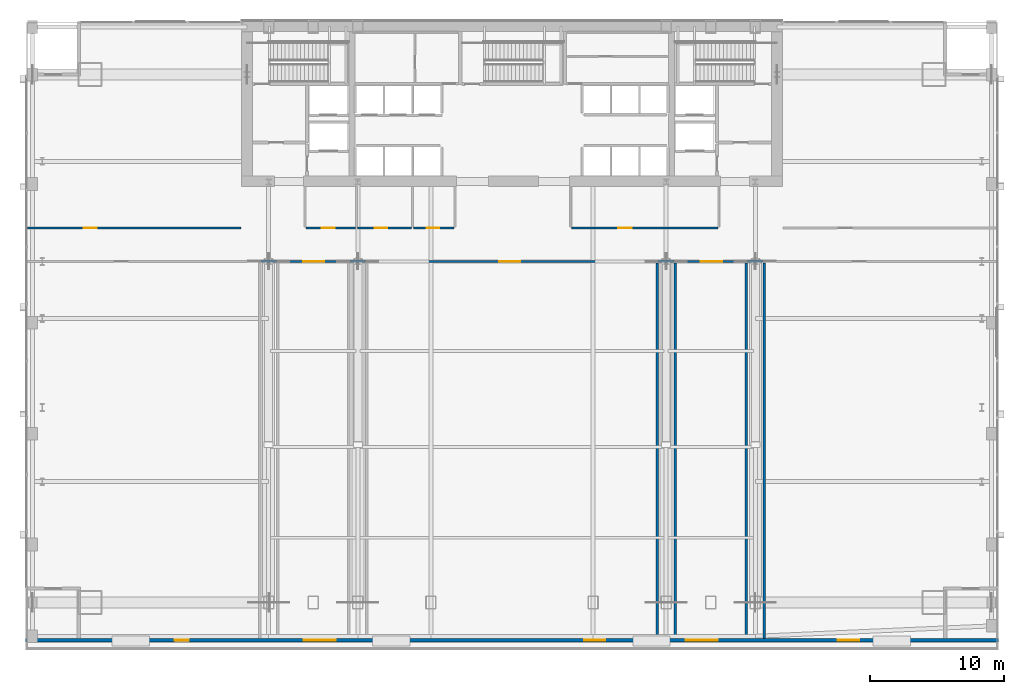
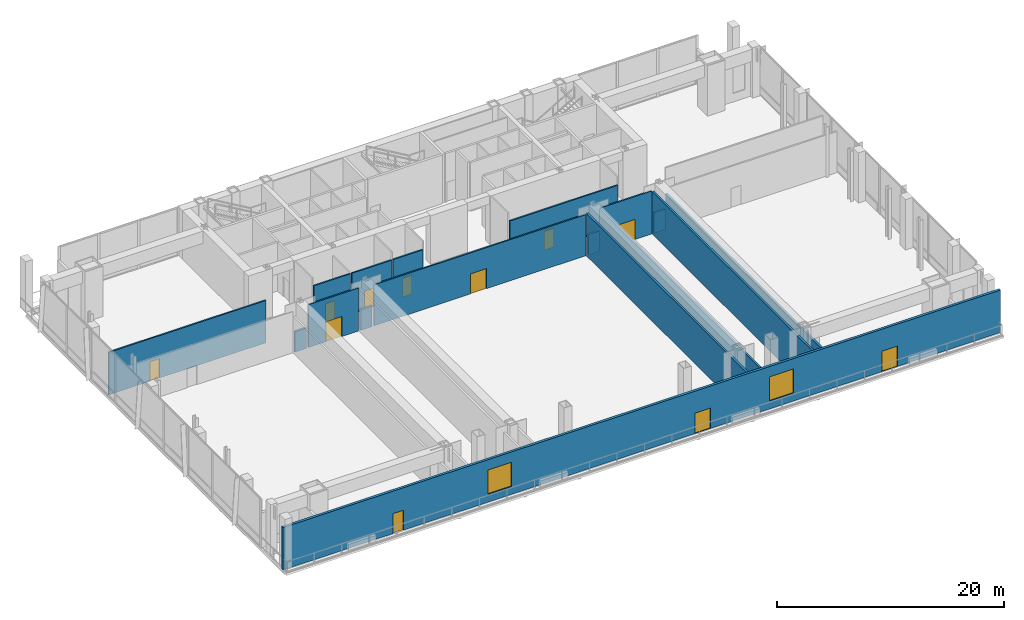
# One storey, part 20 of 26: 17 walls, 11 doors, 2 windows, 13 openings.
"""IFC4 building model written with IfcOpenShell, lengths in metres."""

from ifc_helpers import new_model, si_unit, direction, frame, frame_2d, origin, place, context, subcontext, project, spatial, rectangle, extrude, material, layer, layer_set, type_object, element, fill, save


model = new_model("IFC4")

# Units and contexts
model_context = context("Model", 3, precision=1e-05, world=origin(), true_north=direction((0.0, 1.0)))
body_context = subcontext(model_context, "Body", "Model", "MODEL_VIEW")
ifc_project = project(units=[si_unit("LENGTHUNIT", "METRE"), si_unit("AREAUNIT", "SQUARE_METRE"), si_unit("VOLUMEUNIT", "CUBIC_METRE"), si_unit("PLANEANGLEUNIT", "RADIAN"), si_unit("MASSUNIT", "GRAM", prefix="KILO")], contexts=[model_context])

# Site, building, storey
site_placement = place(None, origin())
site = spatial("IfcSite", under=ifc_project, at=site_placement, CompositionType="ELEMENT")
building_placement = place(site_placement, origin())
building = spatial("IfcBuilding", under=site, at=building_placement, Name="Khoronbel Lancet Exchange", CompositionType="ELEMENT")
storey_placement = place(building_placement, frame((0.0, 0.0, 20.39990234375)))
storey = spatial("IfcBuildingStorey", under=building, at=storey_placement, Name="L04", CompositionType="ELEMENT", Elevation=20.39990234375)

# Wall, openings, doors, windows
ifc_material_1 = material(Name="Precast concrete C40/50", Category="concrete")
ifc_layer_1 = layer(ifc_material_1, 0.25, Name="Precast concrete C40/50")
ifc_layer_set_1 = layer_set([ifc_layer_1], Name="Precast concrete C40/50")
wall_type_1 = type_object("IfcWallType", Name="WL-EXT250", PredefinedType="SOLIDWALL", material=ifc_layer_set_1)
wall_1_placement = place(storey_placement, frame((72.89990234375, 7.324951171875, 0.0), z_axis=(0.0, 0.0, 1.0), x_axis=(-1.0, 0.0, 0.0)))
wall_1 = element("IfcWall", 1, at=wall_1_placement, inside=storey, type_object=wall_type_1, Name="Level L04 cascading south garden terrace wall", PredefinedType="SOLIDWALL", context=body_context, shape_type="SweptSolid", body=[
    extrude(rectangle(XDim=72.89990234375, YDim=0.25, at=frame_2d((36.449951171875, 0.0))), origin(), (0.0, 0.0, 1.0), 4.56005859375),
])
opening_1_placement = place(wall_1_placement, frame((10.449951171875, 0.0, 0.0)))
opening_1 = element("IfcOpeningElement", 2, at=opening_1_placement, cuts=wall_1, Name="Opening TD1", PredefinedType="OPENING", context=body_context, shape_type="SweptSolid", body=[
    extrude(rectangle(XDim=1.60009765625, YDim=2.199951171875, at=frame_2d((0.800048828125, 1.10009765625))), frame((0.0, 0.135009765625, 0.0), z_axis=(0.0, -1.0, 0.0), x_axis=(1.0, 0.0, 0.0)), (0.0, 0.0, 1.0), 0.27001953125),
])
opening_2_placement = place(wall_1_placement, frame((29.449951171875, 0.0, 0.0)))
opening_2 = element("IfcOpeningElement", 3, at=opening_2_placement, cuts=wall_1, Name="Opening TD1", PredefinedType="OPENING", context=body_context, shape_type="SweptSolid", body=[
    extrude(rectangle(XDim=1.60009765625, YDim=2.199951171875, at=frame_2d((0.800048828125, 1.10009765625))), frame((0.0, 0.135009765625, 0.0), z_axis=(0.0, -1.0, 0.0), x_axis=(1.0, 0.0, 0.0)), (0.0, 0.0, 1.0), 0.27001953125),
])
opening_3_placement = place(wall_1_placement, frame((60.64990234375, 0.0, 0.0)))
opening_3 = element("IfcOpeningElement", 4, at=opening_3_placement, cuts=wall_1, Name="Opening TD2", PredefinedType="OPENING", context=body_context, shape_type="SweptSolid", body=[
    extrude(rectangle(XDim=1.050048828125, YDim=2.14990234375, at=frame_2d((0.52490234375, 1.074951171875))), frame((0.0, 0.135009765625, 0.0), z_axis=(0.0, -1.0, 0.0), x_axis=(1.0, 0.0, 0.0)), (0.0, 0.0, 1.0), 0.27001953125),
])
opening_4_placement = place(wall_1_placement, frame((21.050048828125, 0.0, 0.85009765625)))
opening_4 = element("IfcOpeningElement", 5, at=opening_4_placement, cuts=wall_1, Name="Opening W3", PredefinedType="OPENING", context=body_context, shape_type="SweptSolid", body=[
    extrude(rectangle(XDim=2.39990234375, YDim=2.60009765625, at=frame_2d((1.199951171875, 1.300048828125))), frame((0.0, 0.135009765625, 0.0), z_axis=(0.0, -1.0, 0.0), x_axis=(1.0, 0.0, 0.0)), (0.0, 0.0, 1.0), 0.27001953125),
])
opening_5_placement = place(wall_1_placement, frame((49.64990234375, 0.0, 0.85009765625)))
opening_5 = element("IfcOpeningElement", 6, at=opening_5_placement, cuts=wall_1, Name="Opening W3", PredefinedType="OPENING", context=body_context, shape_type="SweptSolid", body=[
    extrude(rectangle(XDim=2.39990234375, YDim=2.60009765625, at=frame_2d((1.199951171875, 1.300048828125))), frame((0.0, 0.135009765625, 0.0), z_axis=(0.0, -1.0, 0.0), x_axis=(1.0, 0.0, 0.0)), (0.0, 0.0, 1.0), 0.27001953125),
])
ifc_material_2 = material(Name="Glazed Bronze-Anodised Aluminium Door Assembly", Category="aluminium")
door_type_1 = type_object("IfcDoorType", Name="DR-TD1", OperationType="NOTDEFINED", PredefinedType="DOOR", material=ifc_material_2)
door_1_placement = place(opening_1_placement, origin())
door_1 = element("IfcDoor", 7, at=door_1_placement, inside=storey, type_object=door_type_1, Name="Level L04 east garden terrace door", OperationType="DOUBLE_DOOR_SINGLE_SWING", OverallHeight=2.199951171875, OverallWidth=1.60009765625, PredefinedType="DOOR", context=body_context, shape_type="SweptSolid", body=[
    extrude(rectangle(XDim=1.60009765625, YDim=2.199951171875, at=frame_2d((0.800048828125, 1.10009765625))), frame((0.0, 0.02490234375, 0.0), z_axis=(0.0, -1.0, 0.0), x_axis=(1.0, 0.0, 0.0)), (0.0, 0.0, 1.0), 0.050048828125),
])
fill(opening_1, door_1)
door_2_placement = place(opening_2_placement, origin())
door_2 = element("IfcDoor", 8, at=door_2_placement, inside=storey, type_object=door_type_1, Name="Level L04 central garden terrace door", OperationType="DOUBLE_DOOR_SINGLE_SWING", OverallHeight=2.199951171875, OverallWidth=1.60009765625, PredefinedType="DOOR", context=body_context, shape_type="SweptSolid", body=[
    extrude(rectangle(XDim=1.60009765625, YDim=2.199951171875, at=frame_2d((0.800048828125, 1.10009765625))), frame((0.0, 0.02490234375, 0.0), z_axis=(0.0, -1.0, 0.0), x_axis=(1.0, 0.0, 0.0)), (0.0, 0.0, 1.0), 0.050048828125),
])
fill(opening_2, door_2)
door_type_2 = type_object("IfcDoorType", Name="DR-TD2", OperationType="NOTDEFINED", PredefinedType="DOOR", material=ifc_material_2)
door_3_placement = place(opening_3_placement, origin())
door_3 = element("IfcDoor", 9, at=door_3_placement, inside=storey, type_object=door_type_2, Name="Level L04 west garden terrace door", OperationType="SINGLE_SWING_LEFT", OverallHeight=2.14990234375, OverallWidth=1.050048828125, PredefinedType="DOOR", context=body_context, shape_type="SweptSolid", body=[
    extrude(rectangle(XDim=1.050048828125, YDim=2.14990234375, at=frame_2d((0.52490234375, 1.074951171875))), frame((0.0, 0.02490234375, 0.0), z_axis=(0.0, -1.0, 0.0), x_axis=(1.0, 0.0, 0.0)), (0.0, 0.0, 1.0), 0.050048828125),
])
fill(opening_3, door_3)
ifc_material_3 = material(Name="Low-E Solar Control Insulating Glass", Category="glass")
window_type = type_object("IfcWindowType", Name="WIN-W3", PartitioningType="SINGLE_PANEL", PredefinedType="WINDOW", material=ifc_material_3)
window_1_placement = place(opening_4_placement, origin())
window_1 = element("IfcWindow", 10, at=window_1_placement, inside=storey, type_object=window_type, Name="WIN-L04-TERR-1", OverallHeight=2.60009765625, OverallWidth=2.39990234375, PartitioningType="SINGLE_PANEL", PredefinedType="WINDOW", context=body_context, shape_type="SweptSolid", body=[
    extrude(rectangle(XDim=2.39990234375, YDim=2.60009765625, at=frame_2d((1.199951171875, 1.300048828125))), frame((0.0, 0.030029296875, 0.0), z_axis=(0.0, -1.0, 0.0), x_axis=(1.0, 0.0, 0.0)), (0.0, 0.0, 1.0), 0.06005859375),
])
fill(opening_4, window_1)
window_2_placement = place(opening_5_placement, origin())
window_2 = element("IfcWindow", 11, at=window_2_placement, inside=storey, type_object=window_type, Name="WIN-L04-TERR-2", OverallHeight=2.60009765625, OverallWidth=2.39990234375, PartitioningType="SINGLE_PANEL", PredefinedType="WINDOW", context=body_context, shape_type="SweptSolid", body=[
    extrude(rectangle(XDim=2.39990234375, YDim=2.60009765625, at=frame_2d((1.199951171875, 1.300048828125))), frame((0.0, 0.030029296875, 0.0), z_axis=(0.0, -1.0, 0.0), x_axis=(1.0, 0.0, 0.0)), (0.0, 0.0, 1.0), 0.06005859375),
])
fill(opening_5, window_2)

# Wall, opening, door
ifc_material_4 = material(Name="Fire-Rated Twin-Stud Acoustic Gypsum Partition 150 mm", Category="gypsum")
ifc_layer_2 = layer(ifc_material_4, 0.14990234375, Name="Fire-Rated Twin-Stud Acoustic Gypsum Partition 150 mm")
ifc_layer_set_2 = layer_set([ifc_layer_2], Name="Fire-Rated Twin-Stud Acoustic Gypsum Partition 150 mm")
wall_type_2 = type_object("IfcWallType", Name="WL-PRT150C", PredefinedType="PARTITIONING", material=ifc_layer_set_2)
wall_2_placement = place(storey_placement, frame((19.0048828125, 35.699951171875, 0.0), z_axis=(0.0, 0.0, 1.0), x_axis=(1.0, 0.0, 0.0)))
wall_2 = element("IfcWall", 12, at=wall_2_placement, inside=storey, type_object=wall_type_2, Name="Level L04 interior partition PW-L04-S2", PredefinedType="PARTITIONING", context=body_context, shape_type="SweptSolid", body=[
    extrude(rectangle(XDim=5.110107421875, YDim=0.14990234375, at=frame_2d((2.55517578125, 0.0))), origin(), (0.0, 0.0, 1.0), 4.610107421875),
])
opening_6_placement = place(wall_2_placement, frame((1.800048828125, 0.0, 0.0)))
opening_6 = element("IfcOpeningElement", 13, at=opening_6_placement, cuts=wall_2, Name="Opening D3", PredefinedType="OPENING", context=body_context, shape_type="SweptSolid", body=[
    extrude(rectangle(XDim=1.60009765625, YDim=2.14990234375, at=frame_2d((0.800048828125, 1.074951171875))), frame((0.0, 0.0849609375, 0.0), z_axis=(0.0, -1.0, 0.0), x_axis=(1.0, 0.0, 0.0)), (0.0, 0.0, 1.0), 0.169921875),
])
ifc_material_5 = material(Name="Glazed Bronze-Framed Double Suite Door", Category="aluminium")
door_type_3 = type_object("IfcDoorType", Name="DR-D3", OperationType="NOTDEFINED", PredefinedType="DOOR", material=ifc_material_5)
door_4_placement = place(opening_6_placement, origin())
door_4 = element("IfcDoor", 14, at=door_4_placement, inside=storey, type_object=door_type_3, Name="Transfer data hall west door L04-1", OperationType="DOUBLE_DOOR_SINGLE_SWING", OverallHeight=2.14990234375, OverallWidth=1.60009765625, PredefinedType="DOOR", context=body_context, shape_type="SweptSolid", body=[
    extrude(rectangle(XDim=1.60009765625, YDim=2.14990234375, at=frame_2d((0.800048828125, 1.074951171875))), frame((0.0, 0.02490234375, 0.0), z_axis=(0.0, -1.0, 0.0), x_axis=(1.0, 0.0, 0.0)), (0.0, 0.0, 1.0), 0.050048828125),
])
fill(opening_6, door_4)

wall_3_placement = place(storey_placement, frame((25.68505859375, 35.699951171875, 0.0), z_axis=(0.0, 0.0, 1.0), x_axis=(1.0, 0.0, 0.0)))
wall_3 = element("IfcWall", 15, at=wall_3_placement, inside=storey, type_object=wall_type_2, Name="Level L04 interior partition PW-L04-S3", PredefinedType="PARTITIONING", context=body_context, shape_type="SweptSolid", body=[
    extrude(rectangle(XDim=21.530029296875, YDim=0.14990234375, at=frame_2d((10.76513671875, 0.0))), origin(), (0.0, 0.0, 1.0), 4.41015625),
])
opening_7_placement = place(wall_3_placement, frame((9.800048828125, 0.0, 0.0)))
opening_7 = element("IfcOpeningElement", 16, at=opening_7_placement, cuts=wall_3, Name="Opening D3", PredefinedType="OPENING", context=body_context, shape_type="SweptSolid", body=[
    extrude(rectangle(XDim=1.60009765625, YDim=2.14990234375, at=frame_2d((0.800048828125, 1.074951171875))), frame((0.0, 0.0849609375, 0.0), z_axis=(0.0, -1.0, 0.0), x_axis=(1.0, 0.0, 0.0)), (0.0, 0.0, 1.0), 0.169921875),
])
door_5_placement = place(opening_7_placement, origin())
door_5 = element("IfcDoor", 17, at=door_5_placement, inside=storey, type_object=door_type_3, Name="Central clearing salon double door L04-1", OperationType="DOUBLE_DOOR_SINGLE_SWING", OverallHeight=2.14990234375, OverallWidth=1.60009765625, PredefinedType="DOOR", context=body_context, shape_type="SweptSolid", body=[
    extrude(rectangle(XDim=1.60009765625, YDim=2.14990234375, at=frame_2d((0.800048828125, 1.074951171875))), frame((0.0, 0.02490234375, 0.0), z_axis=(0.0, -1.0, 0.0), x_axis=(1.0, 0.0, 0.0)), (0.0, 0.0, 1.0), 0.050048828125),
])
fill(opening_7, door_5)

wall_4_placement = place(storey_placement, frame((48.784912109375, 35.699951171875, 0.0), z_axis=(0.0, 0.0, 1.0), x_axis=(1.0, 0.0, 0.0)))
wall_4 = element("IfcWall", 18, at=wall_4_placement, inside=storey, type_object=wall_type_2, Name="Level L04 interior partition PW-L04-S4", PredefinedType="PARTITIONING", context=body_context, shape_type="SweptSolid", body=[
    extrude(rectangle(XDim=5.110107421875, YDim=0.14990234375, at=frame_2d((2.55517578125, 0.0))), origin(), (0.0, 0.0, 1.0), 4.610107421875),
])
opening_8_placement = place(wall_4_placement, frame((1.800048828125, 0.0, 0.0)))
opening_8 = element("IfcOpeningElement", 19, at=opening_8_placement, cuts=wall_4, Name="Opening D3", PredefinedType="OPENING", context=body_context, shape_type="SweptSolid", body=[
    extrude(rectangle(XDim=1.60009765625, YDim=2.14990234375, at=frame_2d((0.800048828125, 1.074951171875))), frame((0.0, 0.0849609375, 0.0), z_axis=(0.0, -1.0, 0.0), x_axis=(1.0, 0.0, 0.0)), (0.0, 0.0, 1.0), 0.169921875),
])
door_6_placement = place(opening_8_placement, origin())
door_6 = element("IfcDoor", 20, at=door_6_placement, inside=storey, type_object=door_type_3, Name="Transfer data hall east door L04-1", OperationType="DOUBLE_DOOR_SINGLE_SWING", OverallHeight=2.14990234375, OverallWidth=1.60009765625, PredefinedType="DOOR", context=body_context, shape_type="SweptSolid", body=[
    extrude(rectangle(XDim=1.60009765625, YDim=2.14990234375, at=frame_2d((0.800048828125, 1.074951171875))), frame((0.0, 0.02490234375, 0.0), z_axis=(0.0, -1.0, 0.0), x_axis=(1.0, 0.0, 0.0)), (0.0, 0.0, 1.0), 0.050048828125),
])
fill(opening_8, door_6)

wall_5_placement = place(storey_placement, frame((21.014892578125, 38.199951171875, 0.0), z_axis=(0.0, 0.0, 1.0), x_axis=(1.0, 0.0, 0.0)))
wall_5 = element("IfcWall", 21, at=wall_5_placement, inside=storey, type_object=wall_type_2, Name="Level L04 interior partition PW-L04-WCS1", PredefinedType="PARTITIONING", context=body_context, shape_type="SweptSolid", body=[
    extrude(rectangle(XDim=3.72021484375, YDim=0.14990234375, at=frame_2d((1.860107421875, 0.0))), origin(), (0.0, 0.0, 1.0), 4.41015625),
])
opening_9_placement = place(wall_5_placement, frame((1.199951171875, 0.0, 0.0)))
opening_9 = element("IfcOpeningElement", 22, at=opening_9_placement, cuts=wall_5, Name="Opening D4", PredefinedType="OPENING", context=body_context, shape_type="SweptSolid", body=[
    extrude(rectangle(XDim=0.949951171875, YDim=2.050048828125, at=frame_2d((0.47509765625, 1.02490234375))), frame((0.0, 0.0849609375, 0.0), z_axis=(0.0, -1.0, 0.0), x_axis=(1.0, 0.0, 0.0)), (0.0, 0.0, 1.0), 0.169921875),
])
ifc_material_6 = material(Name="Moisture-Resistant HPL Washroom Door", Category="wood")
door_type_4 = type_object("IfcDoorType", Name="DR-D4", OperationType="NOTDEFINED", PredefinedType="DOOR", material=ifc_material_6)
door_7_placement = place(opening_9_placement, origin())
door_7 = element("IfcDoor", 23, at=door_7_placement, inside=storey, type_object=door_type_4, Name="L04 male WC door L04-1", OperationType="SINGLE_SWING_RIGHT", OverallHeight=2.050048828125, OverallWidth=0.949951171875, PredefinedType="DOOR", context=body_context, shape_type="SweptSolid", body=[
    extrude(rectangle(XDim=0.949951171875, YDim=2.050048828125, at=frame_2d((0.47509765625, 1.02490234375))), frame((0.0, 0.02490234375, 0.0), z_axis=(0.0, -1.0, 0.0), x_axis=(1.0, 0.0, 0.0)), (0.0, 0.0, 1.0), 0.050048828125),
])
fill(opening_9, door_7)

wall_6_placement = place(storey_placement, frame((24.864990234375, 38.199951171875, 0.0), z_axis=(0.0, 0.0, 1.0), x_axis=(1.0, 0.0, 0.0)))
wall_6 = element("IfcWall", 24, at=wall_6_placement, inside=storey, type_object=wall_type_2, Name="Level L04 interior partition PW-L04-WCS2", PredefinedType="PARTITIONING", context=body_context, shape_type="SweptSolid", body=[
    extrude(rectangle(XDim=4.070068359375, YDim=0.14990234375, at=frame_2d((2.03515625, 0.0))), origin(), (0.0, 0.0, 1.0), 4.41015625),
])
opening_10_placement = place(wall_6_placement, frame((1.300048828125, 0.0, 0.0)))
opening_10 = element("IfcOpeningElement", 25, at=opening_10_placement, cuts=wall_6, Name="Opening D4", PredefinedType="OPENING", context=body_context, shape_type="SweptSolid", body=[
    extrude(rectangle(XDim=0.949951171875, YDim=2.050048828125, at=frame_2d((0.47509765625, 1.02490234375))), frame((0.0, 0.0849609375, 0.0), z_axis=(0.0, -1.0, 0.0), x_axis=(1.0, 0.0, 0.0)), (0.0, 0.0, 1.0), 0.169921875),
])
door_8_placement = place(opening_10_placement, origin())
door_8 = element("IfcDoor", 26, at=door_8_placement, inside=storey, type_object=door_type_4, Name="L04 female WC door L04-1", OperationType="SINGLE_SWING_LEFT", OverallHeight=2.050048828125, OverallWidth=0.949951171875, PredefinedType="DOOR", context=body_context, shape_type="SweptSolid", body=[
    extrude(rectangle(XDim=0.949951171875, YDim=2.050048828125, at=frame_2d((0.47509765625, 1.02490234375))), frame((0.0, 0.02490234375, 0.0), z_axis=(0.0, -1.0, 0.0), x_axis=(1.0, 0.0, 0.0)), (0.0, 0.0, 1.0), 0.050048828125),
])
fill(opening_10, door_8)

wall_7_placement = place(storey_placement, frame((29.06494140625, 38.199951171875, 0.0), z_axis=(0.0, 0.0, 1.0), x_axis=(1.0, 0.0, 0.0)))
wall_7 = element("IfcWall", 27, at=wall_7_placement, inside=storey, type_object=wall_type_2, Name="Level L04 interior partition PW-L04-WCS3", PredefinedType="PARTITIONING", context=body_context, shape_type="SweptSolid", body=[
    extrude(rectangle(XDim=3.050048828125, YDim=0.14990234375, at=frame_2d((1.52490234375, 0.0))), origin(), (0.0, 0.0, 1.0), 4.41015625),
])
opening_11_placement = place(wall_7_placement, frame((1.0, 0.0, 0.0)))
opening_11 = element("IfcOpeningElement", 28, at=opening_11_placement, cuts=wall_7, Name="Opening D4", PredefinedType="OPENING", context=body_context, shape_type="SweptSolid", body=[
    extrude(rectangle(XDim=0.949951171875, YDim=2.050048828125, at=frame_2d((0.47509765625, 1.02490234375))), frame((0.0, 0.0849609375, 0.0), z_axis=(0.0, -1.0, 0.0), x_axis=(1.0, 0.0, 0.0)), (0.0, 0.0, 1.0), 0.169921875),
])
door_9_placement = place(opening_11_placement, origin())
door_9 = element("IfcDoor", 29, at=door_9_placement, inside=storey, type_object=door_type_4, Name="L04 accessible WC door L04-1", OperationType="SINGLE_SWING_RIGHT", OverallHeight=2.050048828125, OverallWidth=0.949951171875, PredefinedType="DOOR", context=body_context, shape_type="SweptSolid", body=[
    extrude(rectangle(XDim=0.949951171875, YDim=2.050048828125, at=frame_2d((0.47509765625, 1.02490234375))), frame((0.0, 0.02490234375, 0.0), z_axis=(0.0, -1.0, 0.0), x_axis=(1.0, 0.0, 0.0)), (0.0, 0.0, 1.0), 0.050048828125),
])
fill(opening_11, door_9)

wall_8_placement = place(storey_placement, frame((0.179931640625, 38.199951171875, 0.0), z_axis=(0.0, 0.0, 1.0), x_axis=(1.0, 0.0, 0.0)))
wall_8 = element("IfcWall", 30, at=wall_8_placement, inside=storey, type_object=wall_type_2, Name="Level L04 interior partition PW-L04-NW", PredefinedType="PARTITIONING", context=body_context, shape_type="SweptSolid", body=[
    extrude(rectangle(XDim=15.97998046875, YDim=0.14990234375, at=frame_2d((7.989990234375, 0.0))), origin(), (0.0, 0.0, 1.0), 4.56005859375),
])
opening_12_placement = place(wall_8_placement, frame((4.199951171875, 0.0, 0.0)))
opening_12 = element("IfcOpeningElement", 31, at=opening_12_placement, cuts=wall_8, Name="Opening FD3", PredefinedType="OPENING", context=body_context, shape_type="SweptSolid", body=[
    extrude(rectangle(XDim=0.949951171875, YDim=2.10009765625, at=frame_2d((0.47509765625, 1.050048828125))), frame((0.0, 0.0849609375, 0.0), z_axis=(0.0, -1.0, 0.0), x_axis=(1.0, 0.0, 0.0)), (0.0, 0.0, 1.0), 0.169921875),
])
ifc_material_7 = material(Name="Fire-Rated Steel Plant & Riser Door Assembly", Category="steel")
door_type_5 = type_object("IfcDoorType", Name="DR-FD3", OperationType="NOTDEFINED", PredefinedType="DOOR", material=ifc_material_7)
door_10_placement = place(opening_12_placement, origin())
door_10 = element("IfcDoor", 32, at=door_10_placement, inside=storey, type_object=door_type_5, Name="L04 UPS room door L04-1", OperationType="SINGLE_SWING_LEFT", OverallHeight=2.10009765625, OverallWidth=0.949951171875, PredefinedType="DOOR", context=body_context, shape_type="SweptSolid", body=[
    extrude(rectangle(XDim=0.949951171875, YDim=2.10009765625, at=frame_2d((0.47509765625, 1.050048828125))), frame((0.0, 0.02490234375, 0.0), z_axis=(0.0, -1.0, 0.0), x_axis=(1.0, 0.0, 0.0)), (0.0, 0.0, 1.0), 0.050048828125),
])
fill(opening_12, door_10)

wall_9_placement = place(storey_placement, frame((40.9150390625, 38.199951171875, 0.0), z_axis=(0.0, 0.0, 1.0), x_axis=(1.0, 0.0, 0.0)))
wall_9 = element("IfcWall", 33, at=wall_9_placement, inside=storey, type_object=wall_type_2, Name="Level L04 interior partition PW-L04-NP", PredefinedType="PARTITIONING", context=body_context, shape_type="SweptSolid", body=[
    extrude(rectangle(XDim=10.969970703125, YDim=0.14990234375, at=frame_2d((5.48486328125, 0.0))), origin(), (0.0, 0.0, 1.0), 4.41015625),
])
opening_13_placement = place(wall_9_placement, frame((3.5, 0.0, 0.0)))
opening_13 = element("IfcOpeningElement", 34, at=opening_13_placement, cuts=wall_9, Name="Opening D2", PredefinedType="OPENING", context=body_context, shape_type="SweptSolid", body=[
    extrude(rectangle(XDim=1.0, YDim=2.050048828125, at=frame_2d((0.5, 1.02490234375))), frame((0.0, 0.0849609375, 0.0), z_axis=(0.0, -1.0, 0.0), x_axis=(1.0, 0.0, 0.0)), (0.0, 0.0, 1.0), 0.169921875),
])
ifc_material_8 = material(Name="Acoustic Veneered Timber & Bronze Frame Door", Category="wood")
door_type_6 = type_object("IfcDoorType", Name="DR-D2", OperationType="NOTDEFINED", PredefinedType="DOOR", material=ifc_material_8)
door_11_placement = place(opening_13_placement, origin())
door_11 = element("IfcDoor", 35, at=door_11_placement, inside=storey, type_object=door_type_6, Name="L04 NOC control room door L04-1", OperationType="SINGLE_SWING_LEFT", OverallHeight=2.050048828125, OverallWidth=1.0, PredefinedType="DOOR", context=body_context, shape_type="SweptSolid", body=[
    extrude(rectangle(XDim=1.0, YDim=2.050048828125, at=frame_2d((0.5, 1.02490234375))), frame((0.0, 0.02490234375, 0.0), z_axis=(0.0, -1.0, 0.0), x_axis=(1.0, 0.0, 0.0)), (0.0, 0.0, 1.0), 0.050048828125),
])
fill(opening_13, door_11)

# Walls
ifc_material_9 = material(Name="Autoclaved Aerated Concrete Blockwork 200 mm", Category="masonry")
ifc_layer_3 = layer(ifc_material_9, 0.199951171875, Name="Autoclaved Aerated Concrete Blockwork 200 mm")
ifc_layer_set_3 = layer_set([ifc_layer_3], Name="Autoclaved Aerated Concrete Blockwork 200 mm")
wall_type_3 = type_object("IfcWallType", Name="WL-PRT200", PredefinedType="PARTITIONING", material=ifc_layer_set_3)
wall_10_placement = place(storey_placement, frame((17.655029296875, 35.699951171875, 0.0), z_axis=(0.0, 0.0, 1.0), x_axis=(1.0, 0.0, 0.0)))
element("IfcWall", 36, at=wall_10_placement, inside=storey, type_object=wall_type_3, Name="Level L04 interior partition PW-L04-STW1", PredefinedType="PARTITIONING", context=body_context, shape_type="SweptSolid", body=[
    extrude(rectangle(XDim=1.139892578125, YDim=0.199951171875, at=frame_2d((0.56982421875, 0.0))), origin(), (0.0, 0.0, 1.0), 2.210205078125),
])
wall_11_placement = place(storey_placement, frame((24.324951171875, 35.699951171875, 0.0), z_axis=(0.0, 0.0, 1.0), x_axis=(1.0, 0.0, 0.0)))
element("IfcWall", 37, at=wall_11_placement, inside=storey, type_object=wall_type_3, Name="Level L04 interior partition PW-L04-STW2", PredefinedType="PARTITIONING", context=body_context, shape_type="SweptSolid", body=[
    extrude(rectangle(XDim=1.150146484375, YDim=0.199951171875, at=frame_2d((0.5751953125, 0.0))), origin(), (0.0, 0.0, 1.0), 2.210205078125),
])
wall_12_placement = place(storey_placement, frame((47.425048828125, 35.699951171875, 0.0), z_axis=(0.0, 0.0, 1.0), x_axis=(1.0, 0.0, 0.0)))
element("IfcWall", 38, at=wall_12_placement, inside=storey, type_object=wall_type_3, Name="Level L04 interior partition PW-L04-STE2", PredefinedType="PARTITIONING", context=body_context, shape_type="SweptSolid", body=[
    extrude(rectangle(XDim=1.14990234375, YDim=0.199951171875, at=frame_2d((0.574951171875, 0.0))), origin(), (0.0, 0.0, 1.0), 2.210205078125),
])
wall_13_placement = place(storey_placement, frame((54.10498046875, 35.699951171875, 0.0), z_axis=(0.0, 0.0, 1.0), x_axis=(1.0, 0.0, 0.0)))
element("IfcWall", 39, at=wall_13_placement, inside=storey, type_object=wall_type_3, Name="Level L04 interior partition PW-L04-STE1", PredefinedType="PARTITIONING", context=body_context, shape_type="SweptSolid", body=[
    extrude(rectangle(XDim=1.14013671875, YDim=0.199951171875, at=frame_2d((0.570068359375, 0.0))), origin(), (0.0, 0.0, 1.0), 2.210205078125),
])
for number, where, z_axis, x_axis, name in (
    (40, (47.320068359375, 7.449951171875, 0.0), (0.0, 0.0, 1.0), (0.0, 1.0, 0.0), "Level L04 interior partition PW-L04-TE2A"),
    (41, (48.679931640625, 7.449951171875, 0.0), (0.0, 0.0, 1.0), (0.0, 1.0, 0.0), "Level L04 interior partition PW-L04-TE2B"),
    (42, (54.0, 7.449951171875, 0.0), (0.0, 0.0, 1.0), (0.0, 1.0, 0.0), "Level L04 interior partition PW-L04-TE1A"),
):
    element("IfcWall", number, at=place(storey_placement, frame(where, z_axis=z_axis, x_axis=x_axis)), inside=storey, type_object=wall_type_3, Name=name, PredefinedType="PARTITIONING", context=body_context, shape_type="SweptSolid", body=[
        extrude(rectangle(XDim=28.14501953125, YDim=0.199951171875, at=frame_2d((14.072509765625, 0.0))), origin(), (0.0, 0.0, 1.0), 4.56005859375),
    ])
wall_14_placement = place(storey_placement, frame((55.35009765625, 7.449951171875, 0.0), z_axis=(0.0, 0.0, 1.0), x_axis=(0.0, 1.0, 0.0)))
element("IfcWall", 43, at=wall_14_placement, inside=storey, type_object=wall_type_3, Name="Level L04 interior partition PW-L04-TE1B", PredefinedType="PARTITIONING", context=body_context, shape_type="SweptSolid", body=[
    extrude(rectangle(XDim=28.14501953125, YDim=0.199951171875, at=frame_2d((14.072509765625, 0.0))), origin(), (0.0, 0.0, 1.0), 3.89013671875),
])

save(model, "model.ifc")
